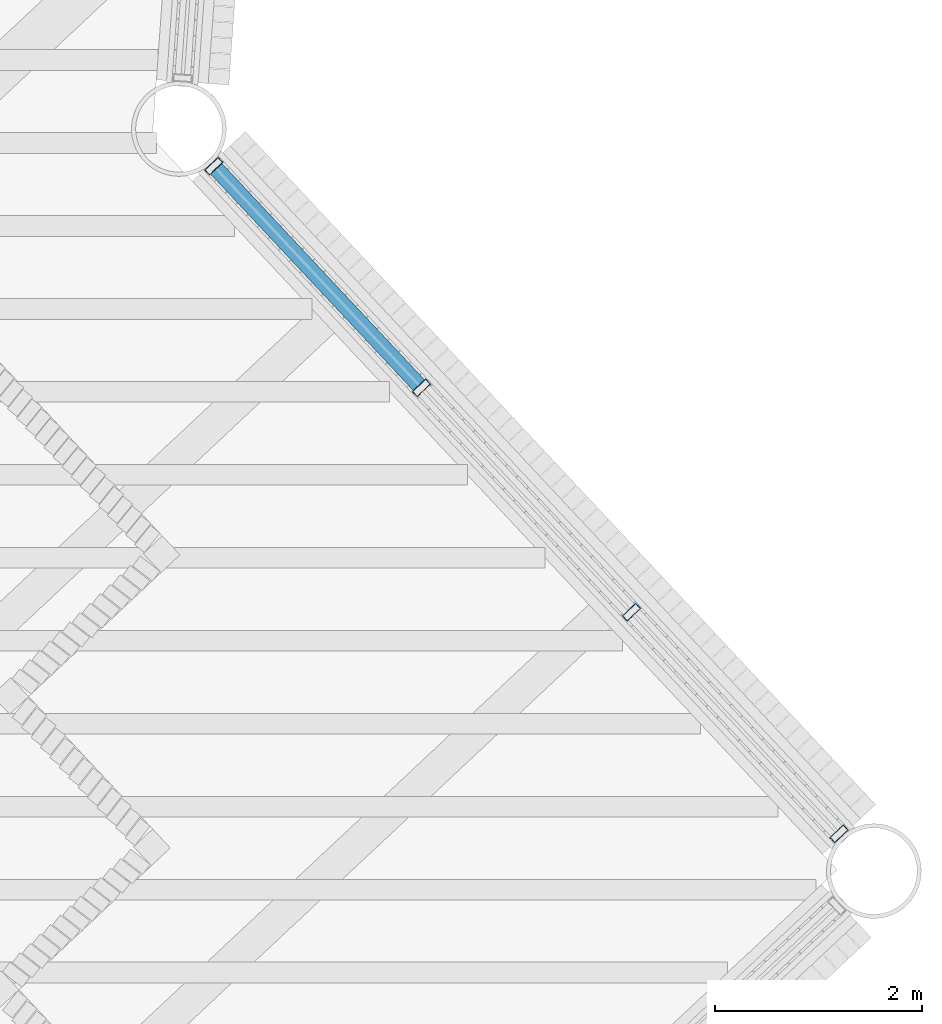
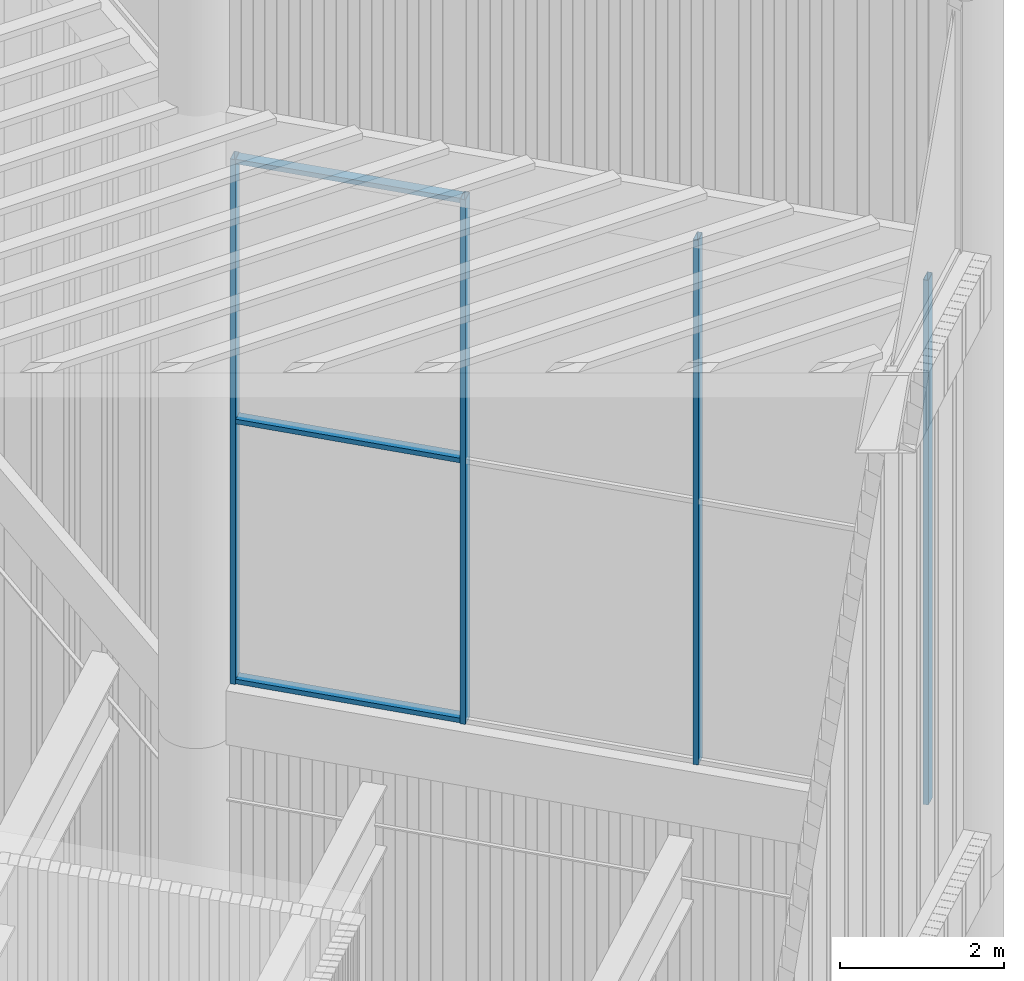
# One storey, part 69 of 117: 7 members, 1 element without a shape of its own.
"""IFC4 building model written with IfcOpenShell, lengths in metres."""

from ifc_helpers import new_model, si_unit, direction, frame, origin, origin_2d, place, context, subcontext, project, spatial, hollow_rectangle, extrude, material, layer, layer_set, material_profile, profile_set, type_object, element, aggregate, save


model = new_model("IFC4")

# Units and contexts
model_context = context("Model", 3, precision=1e-05, world=origin(), true_north=direction((0.0, 1.0)))
body_context = subcontext(model_context, "Body", "Model", "MODEL_VIEW")
ifc_project = project(units=[si_unit("LENGTHUNIT", "METRE"), si_unit("AREAUNIT", "SQUARE_METRE"), si_unit("VOLUMEUNIT", "CUBIC_METRE"), si_unit("PLANEANGLEUNIT", "RADIAN"), si_unit("MASSUNIT", "GRAM", prefix="KILO")], contexts=[model_context])

# Site, building, storey
site_placement = place(None, origin())
site = spatial("IfcSite", under=ifc_project, at=site_placement, CompositionType="ELEMENT")
building_placement = place(site_placement, origin())
building = spatial("IfcBuilding", under=site, at=building_placement, Name="Tarsis Ring Headquarters", CompositionType="ELEMENT")
storey_placement = place(building_placement, frame((0.0, 0.0, 403.60009765625)))
storey = spatial("IfcBuildingStorey", under=building, at=storey_placement, Name="L95", CompositionType="ELEMENT", Elevation=403.60009765625)

# Curtain wall, members
ifc_material_1 = material(Name="Aluminium curtain wall", Category="aluminium")
ifc_layer = layer(ifc_material_1, 0.179931640625)
ifc_layer_set = layer_set([ifc_layer], Name="Curtain wall crown glazing")
curtain_wall_type = type_object("IfcCurtainWallType", Name="Curtain wall crown glazing", PredefinedType="NOTDEFINED", material=ifc_layer_set)
curtain_wall_placement = place(storey_placement, origin())
curtain_wall = element("IfcCurtainWall", 1, at=curtain_wall_placement, inside=storey, type_object=curtain_wall_type, Name="Crown glazing L5", PredefinedType="NOTDEFINED")
ifc_material_2 = material(Name="Aluminium mullion", Category="aluminium")
ifc_material_profile_1 = material_profile(ifc_material_2, hollow_rectangle(XDim=0.179931640625, YDim=0.070068359375, WallThickness=0.0048828125, at=origin_2d()), Name="RHS 180x70x5")
ifc_profile_set_1 = profile_set([ifc_material_profile_1], Name="Aluminium mullion")
member_type_1 = type_object("IfcMemberType", Name="Crown glazing mullion RHS 180x70x5", PredefinedType="MULLION", material=ifc_profile_set_1)
member_1_placement = place(storey_placement, frame((34.25341796875, -14.926025390625, 5.7998046875), z_axis=(0.0, 0.0, 1.0), x_axis=(-0.72992379272, -0.683528534021, 0.0)))
member_1 = element("IfcMember", 2, at=member_1_placement, type_object=member_type_1, Name="CW-C mullion 1", PredefinedType="MULLION", context=body_context, shape_type="SweptSolid", body=[
    extrude(hollow_rectangle(XDim=0.179931640625, YDim=0.070068359375, WallThickness=0.0048828125, at=origin_2d()), origin(), (0.0, 0.0, 1.0), 7.800048828125),
])
member_2_placement = place(storey_placement, frame((32.251708984375, -12.788330078125, 5.7998046875), z_axis=(0.0, 0.0, 1.0), x_axis=(-0.72992379272, -0.683528534021, 0.0)))
member_2 = element("IfcMember", 3, at=member_2_placement, type_object=member_type_1, Name="CW-C mullion 2", PredefinedType="MULLION", context=body_context, shape_type="SweptSolid", body=[
    extrude(hollow_rectangle(XDim=0.179931640625, YDim=0.070068359375, WallThickness=0.0048828125, at=origin_2d()), origin(), (0.0, 0.0, 1.0), 7.800048828125),
])
member_3_placement = place(storey_placement, frame((30.22607421875, -10.625244140625, 5.7998046875), z_axis=(0.0, 0.0, 1.0), x_axis=(-0.72992379272, -0.683528534021, 0.0)))
member_3 = element("IfcMember", 4, at=member_3_placement, type_object=member_type_1, Name="CW-C mullion 3", PredefinedType="MULLION", context=body_context, shape_type="SweptSolid", body=[
    extrude(hollow_rectangle(XDim=0.179931640625, YDim=0.070068359375, WallThickness=0.0048828125, at=origin_2d()), origin(), (0.0, 0.0, 1.0), 7.800048828125),
])
member_4_placement = place(storey_placement, frame((28.224365234375, -8.48779296875, 5.7998046875), z_axis=(0.0, 0.0, 1.0), x_axis=(-0.72992379272, -0.683528534021, 0.0)))
member_4 = element("IfcMember", 5, at=member_4_placement, type_object=member_type_1, Name="CW-C mullion 4", PredefinedType="MULLION", context=body_context, shape_type="SweptSolid", body=[
    extrude(hollow_rectangle(XDim=0.179931640625, YDim=0.070068359375, WallThickness=0.0048828125, at=origin_2d()), origin(), (0.0, 0.0, 1.0), 7.800048828125),
])
ifc_material_3 = material(Name="Aluminium transom", Category="aluminium")
ifc_material_profile_2 = material_profile(ifc_material_3, hollow_rectangle(XDim=0.14990234375, YDim=0.070068359375, WallThickness=0.0048828125, at=origin_2d()), Name="RHS 150x70x5")
ifc_profile_set_2 = profile_set([ifc_material_profile_2], Name="Aluminium transom")
member_type_2 = type_object("IfcMemberType", Name="Crown glazing transom RHS 150x70x5", PredefinedType="USERDEFINED", material=ifc_profile_set_2)
member_5_placement = place(storey_placement, frame((30.2021484375, -10.599853515625, 5.8349609375), z_axis=(-0.683494978248, 0.729955214181, 0.0), x_axis=(-0.729955214181, -0.683494978248, 0.0)))
member_5 = element("IfcMember", 6, at=member_5_placement, type_object=member_type_2, Name="CW-C transom 3.1", ObjectType="TRANSOM", PredefinedType="USERDEFINED", context=body_context, shape_type="SweptSolid", body=[
    extrude(hollow_rectangle(XDim=0.14990234375, YDim=0.070068359375, WallThickness=0.0048828125, at=origin_2d()), origin(), (0.0, 0.0, 1.0), 2.858642578125),
])
member_6_placement = place(storey_placement, frame((30.2021484375, -10.599853515625, 9.699951171875), z_axis=(-0.683494978248, 0.729955214181, 0.0), x_axis=(-0.729955214181, -0.683494978248, 0.0)))
member_6 = element("IfcMember", 7, at=member_6_placement, type_object=member_type_2, Name="CW-C transom 3.2", ObjectType="TRANSOM", PredefinedType="USERDEFINED", context=body_context, shape_type="SweptSolid", body=[
    extrude(hollow_rectangle(XDim=0.14990234375, YDim=0.070068359375, WallThickness=0.0048828125, at=origin_2d()), origin(), (0.0, 0.0, 1.0), 2.858642578125),
])
member_7_placement = place(storey_placement, frame((30.2021484375, -10.599853515625, 13.56494140625), z_axis=(-0.683494978248, 0.729955214181, 0.0), x_axis=(-0.729955214181, -0.683494978248, 0.0)))
member_7 = element("IfcMember", 8, at=member_7_placement, type_object=member_type_2, Name="CW-C transom 3.3", ObjectType="TRANSOM", PredefinedType="USERDEFINED", context=body_context, shape_type="SweptSolid", body=[
    extrude(hollow_rectangle(XDim=0.14990234375, YDim=0.070068359375, WallThickness=0.0048828125, at=origin_2d()), origin(), (0.0, 0.0, 1.0), 2.858642578125),
])
aggregate(curtain_wall, [member_1, member_2, member_3, member_4, member_5, member_6, member_7])

save(model, "model.ifc")
